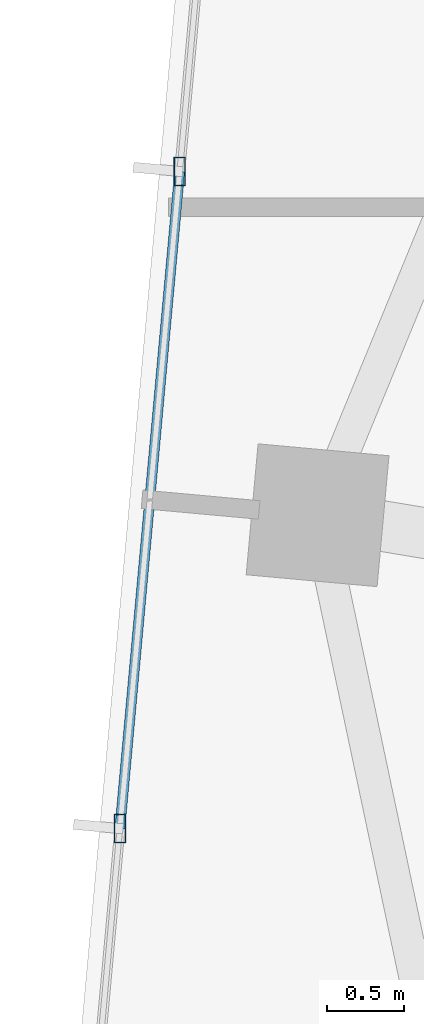
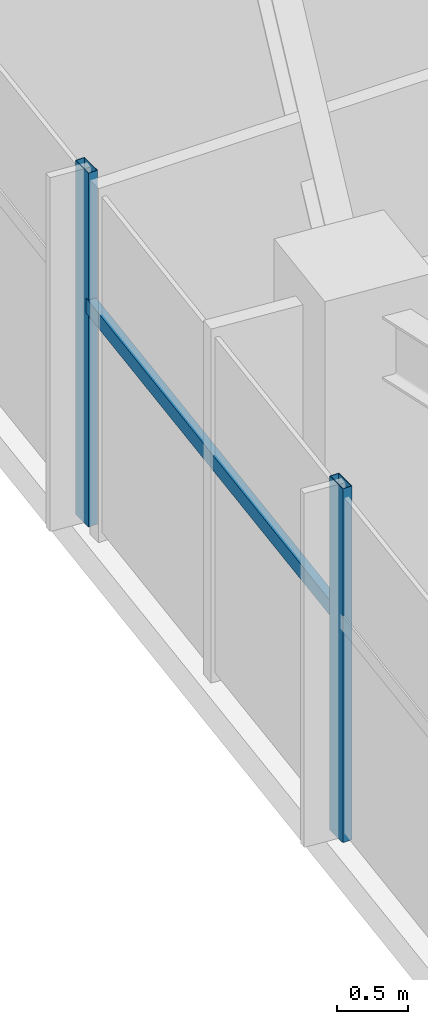
# One storey, part 4 of 22: 3 members, 1 element without a shape of its own.
"""IFC4 building model written with IfcOpenShell, lengths in metres."""

from ifc_helpers import new_model, si_unit, direction, frame, origin, origin_2d, place, context, subcontext, project, spatial, hollow_rectangle, extrude, source, transform, mapped, material, material_profile, profile_set, type_object, type_shapes, element, aggregate, save


model = new_model("IFC4")

# Units and contexts
model_context = context("Model", 3, precision=1e-05, world=origin(), true_north=direction((0.0, 1.0)))
body_context = subcontext(model_context, "Body", "Model", "MODEL_VIEW")
ifc_project = project(units=[si_unit("LENGTHUNIT", "METRE"), si_unit("AREAUNIT", "SQUARE_METRE"), si_unit("VOLUMEUNIT", "CUBIC_METRE"), si_unit("PLANEANGLEUNIT", "RADIAN"), si_unit("MASSUNIT", "GRAM", prefix="KILO")], contexts=[model_context])

# Site, building, storey
site_placement = place(None, origin())
site = spatial("IfcSite", under=ifc_project, at=site_placement, CompositionType="ELEMENT")
building_placement = place(site_placement, origin())
building = spatial("IfcBuilding", under=site, at=building_placement, Name="Astriad Promenade Condominiums", CompositionType="ELEMENT")
storey_placement = place(building_placement, frame((0.0, 0.0, 236.39990234375)))
storey = spatial("IfcBuildingStorey", under=building, at=storey_placement, Name="L68", CompositionType="ELEMENT", Elevation=236.39990234375)

# Curtain wall, members
ifc_material_1 = material(Name="Anodised aluminium Black Dark Glass Unitised", Category="aluminium")
curtain_wall_type = type_object("IfcCurtainWallType", Name="CW-B5-DARK", PredefinedType="USERDEFINED", material=ifc_material_1)
curtain_wall_placement = place(storey_placement, origin())
curtain_wall = element("IfcCurtainWall", 1, at=curtain_wall_placement, inside=storey, type_object=curtain_wall_type, Name="CW-L68-W", ObjectType="UNITISED_CURTAIN_WALL", PredefinedType="USERDEFINED")
ifc_material_2 = material(Name="Anodised aluminium 6063-T6 Black", Category="aluminium")
ifc_material_profile_1 = material_profile(ifc_material_2, hollow_rectangle(XDim=0.06494140625, YDim=0.1298828125, WallThickness=0.00390625, at=origin_2d()), Name="ALU-TRN-65X130")
ifc_profile_set_1 = profile_set([ifc_material_profile_1], Name="Anodised aluminium 6063-T6 Black")
member_type_1 = type_object("IfcMemberType", Name="TRN-ALU-TRN-65X130", PredefinedType="USERDEFINED", material=ifc_profile_set_1)
shared_shape_1 = source(origin(), body_context, "Body", "SweptSolid", [
    extrude(hollow_rectangle(XDim=0.06494140625, YDim=0.1298828125, WallThickness=0.00390625, at=origin_2d()), origin(), (0.0, 0.0, 1.0), 4.266845703125),
])
type_shapes(member_type_1, [shared_shape_1])
member_1_placement = place(storey_placement, frame((9.4326171875, 17.984375, 1.885009765625), z_axis=(0.090577018386, 0.995889453574, 0.0), x_axis=(-0.995889453574, 0.090577018386, 0.0)))
member_1 = element("IfcMember", 2, at=member_1_placement, type_object=member_type_1, Name="CW-L68-W-TRN-01-0", ObjectType="TRANSOM", PredefinedType="USERDEFINED", context=body_context, shape_type="MappedRepresentation", body=[
    mapped(shared_shape_1, transform((0.0, 0.0, 0.0), scale=1.0)),
])
ifc_material_profile_2 = material_profile(ifc_material_2, hollow_rectangle(XDim=0.074951171875, YDim=0.18505859375, WallThickness=0.00439453125, at=origin_2d()), Name="ALU-MUL-75X185")
ifc_profile_set_2 = profile_set([ifc_material_profile_2], Name="Anodised aluminium 6063-T6 Black")
member_type_2 = type_object("IfcMemberType", Name="MUL-ALU-MUL-75X185", PredefinedType="MULLION", material=ifc_profile_set_2)
shared_shape_2 = source(origin(), body_context, "Body", "SweptSolid", [
    extrude(hollow_rectangle(XDim=0.074951171875, YDim=0.18505859375, WallThickness=0.00439453125, at=origin_2d()), origin(), (0.0, 0.0, 1.0), 3.0400390625),
])
type_shapes(member_type_2, [shared_shape_2])
member_2_placement = place(storey_placement, frame((9.4326171875, 17.984375, 0.0), z_axis=(0.0, 0.0, 1.0), x_axis=(1.0, 0.0, 0.0)))
member_2 = element("IfcMember", 3, at=member_2_placement, type_object=member_type_2, Name="CW-L68-W-MUL-01", PredefinedType="MULLION", context=body_context, shape_type="MappedRepresentation", body=[
    mapped(shared_shape_2, transform((0.0, 0.0, 0.0), scale=1.0)),
])
member_3_placement = place(storey_placement, frame((9.819091796875, 22.233642578125, 0.0), z_axis=(0.0, 0.0, 1.0), x_axis=(1.0, 0.0, 0.0)))
member_3 = element("IfcMember", 4, at=member_3_placement, type_object=member_type_2, Name="CW-L68-W-MUL-02", PredefinedType="MULLION", context=body_context, shape_type="MappedRepresentation", body=[
    mapped(shared_shape_2, transform((0.0, 0.0, 0.0), scale=1.0)),
])
aggregate(curtain_wall, [member_2, member_3, member_1])

save(model, "model.ifc")
